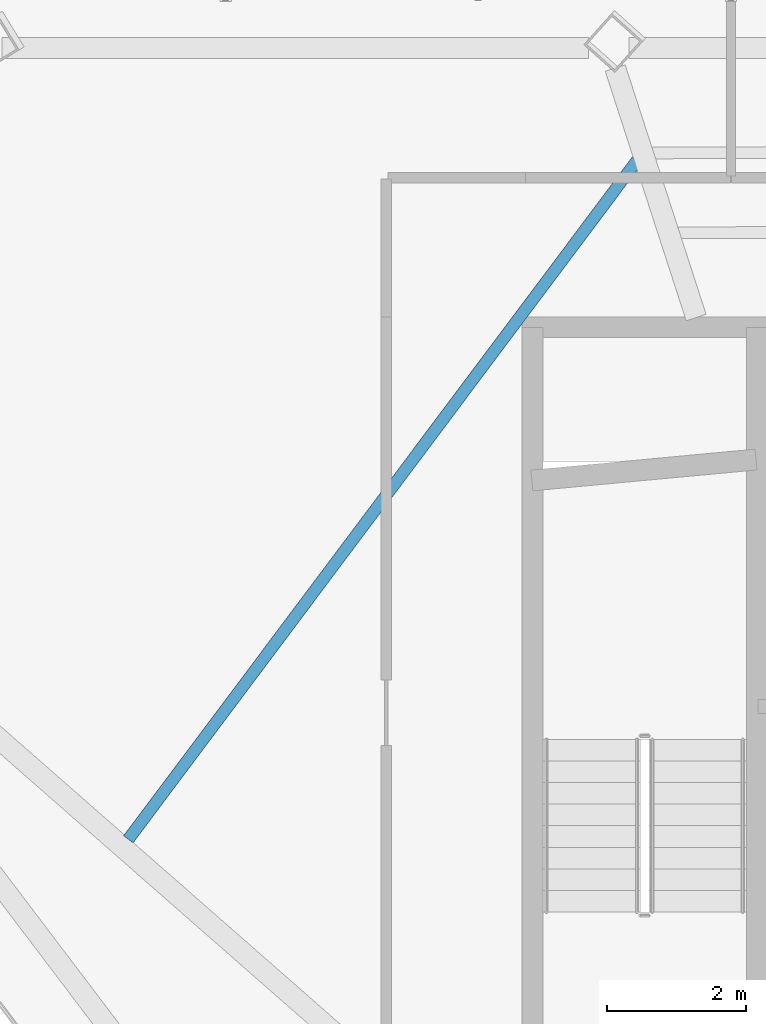
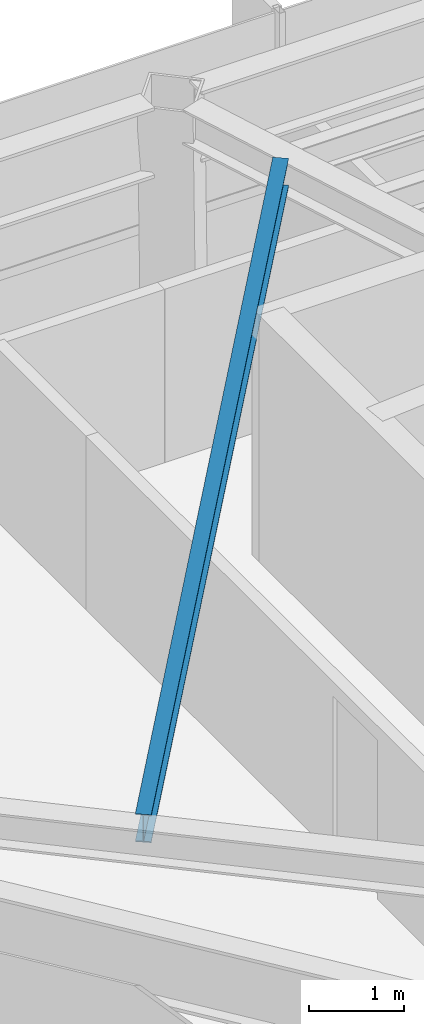
# One storey, part 11 of 27: 1 beam.
"""IFC4 building model written with IfcOpenShell, lengths in metres."""

from ifc_helpers import new_model, si_unit, direction, frame, origin, origin_2d, place, context, subcontext, project, spatial, i_section, extrude, material, material_profile, profile_set, type_object, element, save


model = new_model("IFC4")

# Units and contexts
model_context = context("Model", 3, precision=1e-05, world=origin(), true_north=direction((0.0, 1.0)))
body_context = subcontext(model_context, "Body", "Model", "MODEL_VIEW")
ifc_project = project(units=[si_unit("LENGTHUNIT", "METRE"), si_unit("AREAUNIT", "SQUARE_METRE"), si_unit("VOLUMEUNIT", "CUBIC_METRE"), si_unit("PLANEANGLEUNIT", "RADIAN"), si_unit("MASSUNIT", "GRAM", prefix="KILO")], contexts=[model_context])

# Site, building, storey
site_placement = place(None, origin())
site = spatial("IfcSite", under=ifc_project, at=site_placement, CompositionType="ELEMENT")
building_placement = place(site_placement, origin())
building = spatial("IfcBuilding", under=site, at=building_placement, Name="Zarrinselat Tower", CompositionType="ELEMENT")
storey_placement = place(building_placement, frame((0.0, 0.0, 235.9599609375)))
storey = spatial("IfcBuildingStorey", under=building, at=storey_placement, Name="L59", CompositionType="ELEMENT", Elevation=235.9599609375)

# Beam
ifc_material = material(Name="Steel S355J2", Category="steel")
ifc_material_profile = material_profile(ifc_material, i_section(OverallWidth=0.169921875, OverallDepth=0.360107421875, WebThickness=0.008056640625, FlangeThickness=0.0126953125, at=origin_2d()), Name="IPE 360")
ifc_profile_set = profile_set([ifc_material_profile], Name="Steel S355J2")
beam_type = type_object("IfcBeamType", Name="BM-IPE360", PredefinedType="JOIST", material=ifc_profile_set)
beam_placement = place(storey_placement, frame((22.84326171875, 36.044677734375, 3.0), z_axis=(0.599685711425, 0.800235619998, 0.0), x_axis=(-0.800235619998, 0.599685711425, 0.0)))
element("IfcBeam", 1, at=beam_placement, inside=storey, type_object=beam_type, Name="L59 Composite Floor Joist 9-1", PredefinedType="JOIST", context=body_context, shape_type="SweptSolid", body=[
    extrude(i_section(OverallWidth=0.169921875, OverallDepth=0.360107421875, WebThickness=0.008056640625, FlangeThickness=0.0126953125, at=origin_2d()), origin(), (0.0, 0.0, 1.0), 12.18212890625),
])

save(model, "model.ifc")
